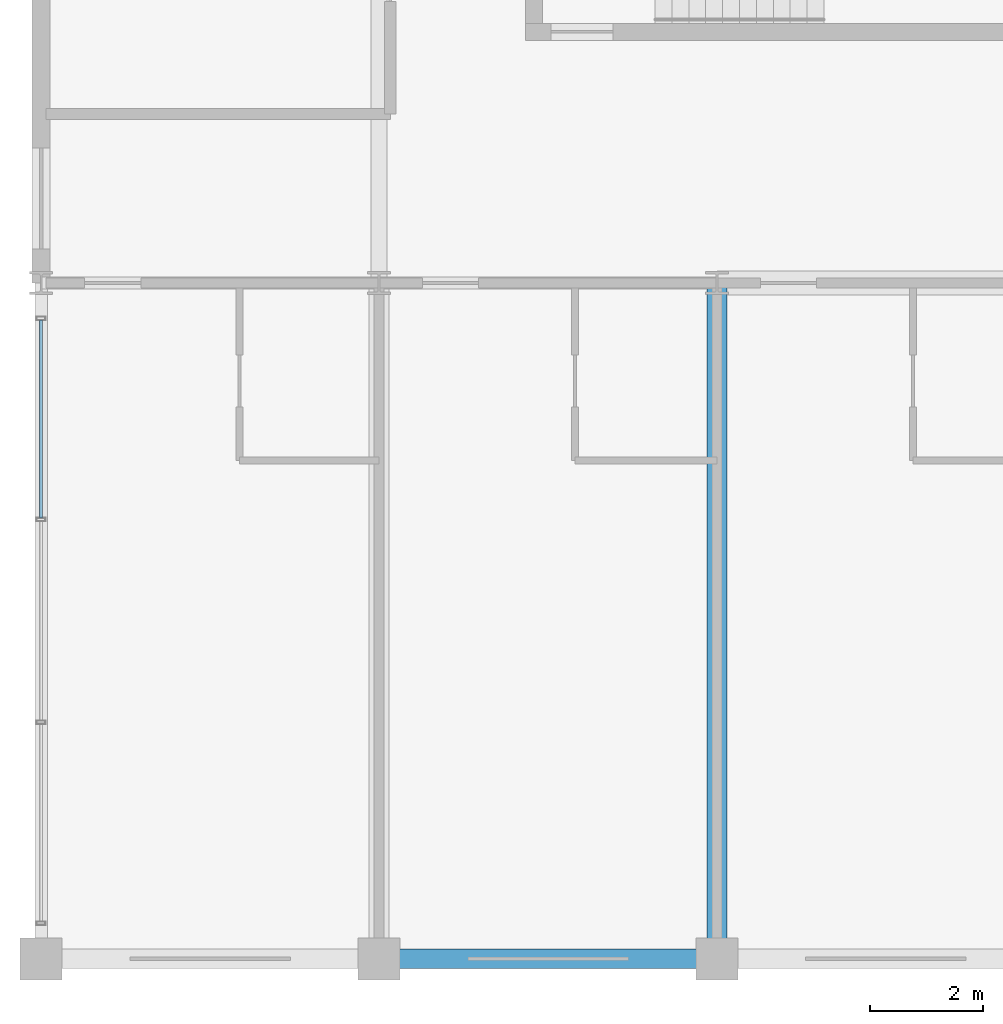
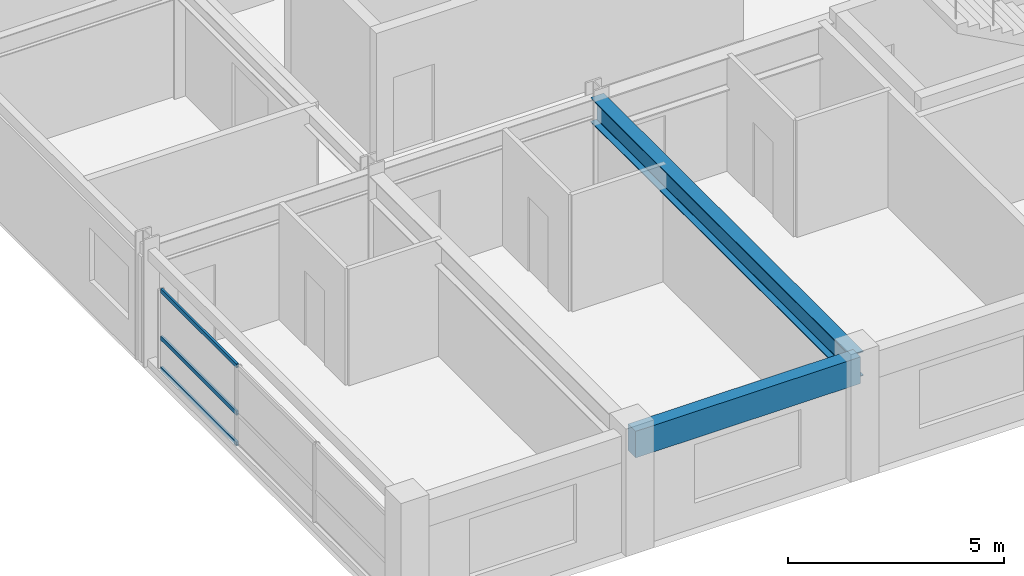
# One storey, part 3 of 20: 3 members, 2 beams, 1 element without a shape of its own.
"""IFC4 building model written with IfcOpenShell, lengths in metres."""

from ifc_helpers import new_model, si_unit, direction, frame, origin, origin_2d, place, context, subcontext, project, spatial, rectangle, hollow_rectangle, i_section, extrude, material, material_profile, profile_set, type_object, element, aggregate, save


model = new_model("IFC4")

# Units and contexts
model_context = context("Model", 3, precision=1e-05, world=origin(), true_north=direction((0.0, 1.0)))
body_context = subcontext(model_context, "Body", "Model", "MODEL_VIEW")
ifc_project = project(units=[si_unit("LENGTHUNIT", "METRE"), si_unit("AREAUNIT", "SQUARE_METRE"), si_unit("VOLUMEUNIT", "CUBIC_METRE"), si_unit("PLANEANGLEUNIT", "RADIAN"), si_unit("MASSUNIT", "GRAM", prefix="KILO")], contexts=[model_context])

# Site, building, storey
site_placement = place(None, origin())
site = spatial("IfcSite", under=ifc_project, at=site_placement, CompositionType="ELEMENT")
building_placement = place(site_placement, origin())
building = spatial("IfcBuilding", under=site, at=building_placement, Name="Kaldorvane Square Convention Centre", CompositionType="ELEMENT")
storey_placement = place(building_placement, frame((0.0, 0.0, 52.80000305175781)))
storey = spatial("IfcBuildingStorey", under=building, at=storey_placement, Name="L12", CompositionType="ELEMENT", Elevation=52.80000305175781)

# Beams
ifc_material_1 = material(Name="Steel ASTM A992 Gr. 50", Category="steel")
ifc_material_profile_1 = material_profile(ifc_material_1, i_section(OverallWidth=0.354705810546875, OverallDepth=0.69549560546875, WebThickness=0.0153961181640625, FlangeThickness=0.0251007080078125, FilletRadius=0.01519775390625, at=origin_2d()), Name="W27X146")
ifc_profile_set_1 = profile_set([ifc_material_profile_1], Name="Steel ASTM A992 Gr. 50")
beam_type_1 = type_object("IfcBeamType", Name="BM-GR-W27X146", PredefinedType="BEAM", material=ifc_profile_set_1)
beam_1_placement = place(storey_placement, frame((42.0, 84.0, 2.93829345703125), z_axis=(0.0, 1.0, 0.0), x_axis=(-1.0, 0.0, 0.0)))
element("IfcBeam", 1, at=beam_1_placement, inside=storey, type_object=beam_type_1, Name="Transverse Girder (L12)", PredefinedType="BEAM", context=body_context, shape_type="SweptSolid", body=[
    extrude(i_section(OverallWidth=0.354705810546875, OverallDepth=0.69549560546875, WebThickness=0.0153961181640625, FlangeThickness=0.0251007080078125, FilletRadius=0.01519775390625, at=origin_2d()), origin(), (0.0, 0.0, 1.0), 12.0),
])
ifc_material_2 = material(Name="Concrete f'c = 42 MPa (Normalweight)", Category="concrete")
ifc_material_profile_2 = material_profile(ifc_material_2, rectangle(XDim=0.350006103515625, YDim=0.75, at=origin_2d()), Name="RCSP750X350")
ifc_profile_set_2 = profile_set([ifc_material_profile_2], Name="Concrete f'c = 42 MPa (Normalweight)")
beam_type_2 = type_object("IfcBeamType", Name="BM-SP-RC750", PredefinedType="SPANDREL", material=ifc_profile_set_2)
beam_2_placement = place(storey_placement, frame((36.0, 84.0, 2.9109954833984375), z_axis=(1.0, 0.0, 0.0), x_axis=(0.0, 1.0, 0.0)))
element("IfcBeam", 2, at=beam_2_placement, inside=storey, type_object=beam_type_2, Name="Perimeter Spandrel (L12)", PredefinedType="SPANDREL", context=body_context, shape_type="SweptSolid", body=[
    extrude(rectangle(XDim=0.350006103515625, YDim=0.75, at=origin_2d()), origin(), (0.0, 0.0, 1.0), 6.0),
])

# Curtain wall, members
ifc_material_3 = material(Name="Anodized Aluminum and Low-E Insulated Glazing", Category="aluminium")
curtain_wall_type = type_object("IfcCurtainWallType", Name="CW-UNI-HTL-B", PredefinedType="USERDEFINED", material=ifc_material_3)
curtain_wall_placement = place(storey_placement, origin())
curtain_wall = element("IfcCurtainWall", 3, at=curtain_wall_placement, inside=storey, type_object=curtain_wall_type, Name="Curtain Wall CW-11 (L12)", ObjectType="UNITISED GLAZING", PredefinedType="USERDEFINED")
ifc_material_profile_3 = material_profile(ifc_material_3, hollow_rectangle(XDim=0.05499267578125, YDim=0.1199951171875, WallThickness=0.0030059814453125, at=origin_2d()), Name="CWT-120X55")
ifc_profile_set_3 = profile_set([ifc_material_profile_3], Name="Anodized Aluminum and Low-E Insulated Glazing")
member_type = type_object("IfcMemberType", Name="CW-TRN-120", PredefinedType="USERDEFINED", material=ifc_profile_set_3)
member_1_placement = place(storey_placement, frame((30.0, 95.33999633789062, 0.177490234375), z_axis=(0.0, -1.0, 0.0), x_axis=(1.0, 0.0, 0.0)))
member_1 = element("IfcMember", 4, at=member_1_placement, type_object=member_type, Name="CW-11 transom 1.1", ObjectType="TRANSOM", PredefinedType="USERDEFINED", context=body_context, shape_type="SweptSolid", body=[
    extrude(hollow_rectangle(XDim=0.05499267578125, YDim=0.1199951171875, WallThickness=0.0030059814453125, at=origin_2d()), origin(), (0.0, 0.0, 1.0), 3.5099945068359375),
])
member_2_placement = place(storey_placement, frame((30.0, 95.33999633789062, 1.0500030517578125), z_axis=(0.0, -1.0, 0.0), x_axis=(1.0, 0.0, 0.0)))
member_2 = element("IfcMember", 5, at=member_2_placement, type_object=member_type, Name="CW-11 transom 1.2", ObjectType="TRANSOM", PredefinedType="USERDEFINED", context=body_context, shape_type="SweptSolid", body=[
    extrude(hollow_rectangle(XDim=0.05499267578125, YDim=0.1199951171875, WallThickness=0.0030059814453125, at=origin_2d()), origin(), (0.0, 0.0, 1.0), 3.5099945068359375),
])
member_3_placement = place(storey_placement, frame((30.0, 95.33999633789062, 2.3824920654296875), z_axis=(0.0, -1.0, 0.0), x_axis=(1.0, 0.0, 0.0)))
member_3 = element("IfcMember", 6, at=member_3_placement, type_object=member_type, Name="CW-11 transom 1.3", ObjectType="TRANSOM", PredefinedType="USERDEFINED", context=body_context, shape_type="SweptSolid", body=[
    extrude(hollow_rectangle(XDim=0.05499267578125, YDim=0.1199951171875, WallThickness=0.0030059814453125, at=origin_2d()), origin(), (0.0, 0.0, 1.0), 3.5099945068359375),
])
aggregate(curtain_wall, [member_1, member_2, member_3])

save(model, "model.ifc")
